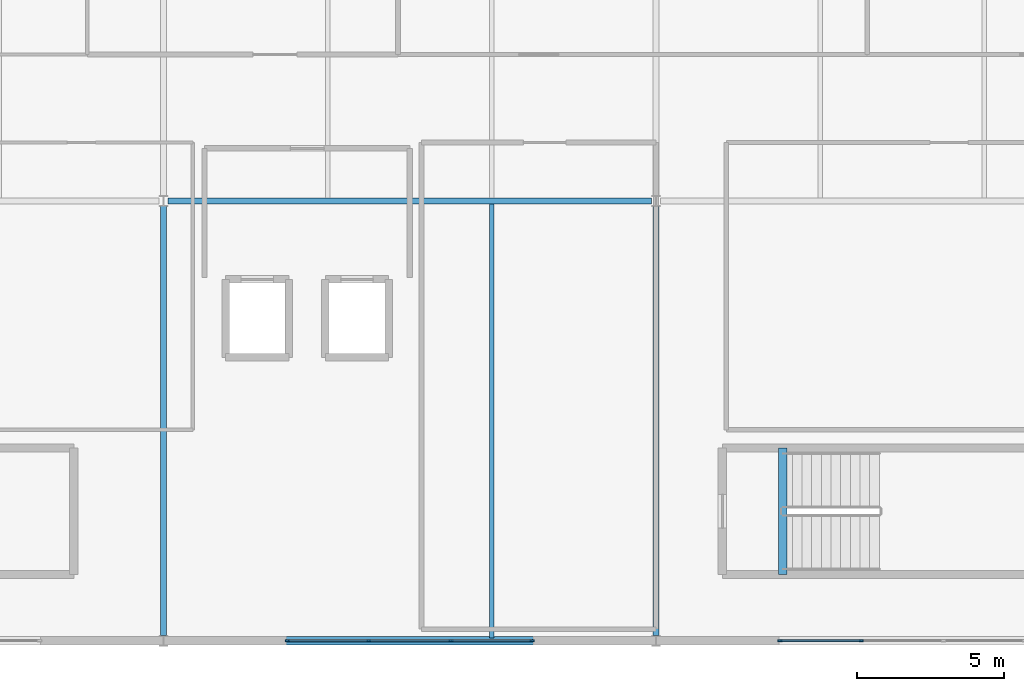
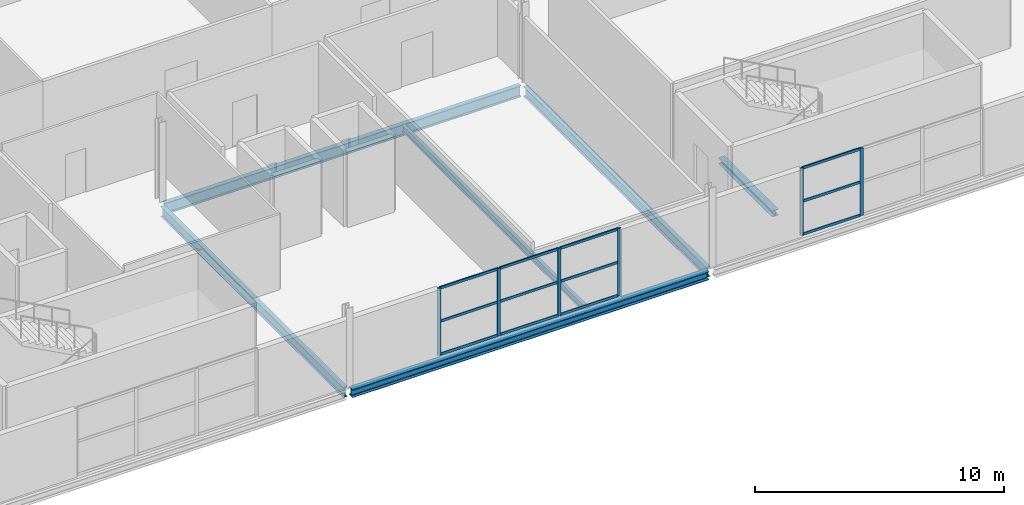
# One storey, part 7 of 18: 18 members, 6 beams, 2 elements without a shape of their own.
"""IFC4 building model written with IfcOpenShell, lengths in metres."""

from ifc_helpers import new_model, si_unit, direction, frame, origin, origin_2d, place, context, subcontext, project, spatial, rectangle, i_section, extrude, material, material_profile, profile_set, type_object, element, aggregate, save


model = new_model("IFC4")

# Units and contexts
model_context = context("Model", 3, precision=1e-05, world=origin(), true_north=direction((0.0, 1.0)))
body_context = subcontext(model_context, "Body", "Model", "MODEL_VIEW")
ifc_project = project(units=[si_unit("LENGTHUNIT", "METRE"), si_unit("AREAUNIT", "SQUARE_METRE"), si_unit("VOLUMEUNIT", "CUBIC_METRE"), si_unit("PLANEANGLEUNIT", "RADIAN"), si_unit("MASSUNIT", "GRAM", prefix="KILO")], contexts=[model_context])

# Site, building, storey
site_placement = place(None, origin())
site = spatial("IfcSite", under=ifc_project, at=site_placement, CompositionType="ELEMENT")
building_placement = place(site_placement, origin())
building = spatial("IfcBuilding", under=site, at=building_placement, Name="Kimbaza Rail Terminus", CompositionType="ELEMENT")
storey_placement = place(building_placement, frame((0.0, 0.0, 24.89990234375)))
storey = spatial("IfcBuildingStorey", under=building, at=storey_placement, Name="L05", CompositionType="ELEMENT", Elevation=24.89990234375)

# Curtain wall, members
ifc_material_1 = material(Name="Anodised aluminium framing and solar low-E glazing", Category="aluminium")
curtain_wall_type = type_object("IfcCurtainWallType", Name="ARC-CW-OP2", PredefinedType="USERDEFINED", material=ifc_material_1)
curtain_wall_1_placement = place(storey_placement, origin())
curtain_wall_1 = element("IfcCurtainWall", 1, at=curtain_wall_1_placement, inside=storey, type_object=curtain_wall_type, Name="Operations South Curtain Wall L05 Bay 2", ObjectType="STICK CURTAIN WALL", PredefinedType="USERDEFINED")
ifc_material_2 = material(Name="Anodised architectural aluminium", Category="aluminium")
ifc_material_profile_1 = material_profile(ifc_material_2, rectangle(XDim=0.05810546875, YDim=0.14990234375, at=origin_2d()), Name="MULLION 58x150")
ifc_profile_set_1 = profile_set([ifc_material_profile_1], Name="Anodised architectural aluminium")
member_type_1 = type_object("IfcMemberType", Name="ARC-CWM-06", PredefinedType="MULLION", material=ifc_profile_set_1)
member_1_placement = place(storey_placement, frame((93.029052734375, 103.0, 0.0), z_axis=(0.0, 0.0, 1.0), x_axis=(0.0, 1.0, 0.0)))
member_1 = element("IfcMember", 2, at=member_1_placement, type_object=member_type_1, Name="CW-06 mullion 1", PredefinedType="MULLION", context=body_context, shape_type="SweptSolid", body=[
    extrude(rectangle(XDim=0.05810546875, YDim=0.14990234375, at=origin_2d()), origin(), (0.0, 0.0, 1.0), 3.300048828125),
])
member_2_placement = place(storey_placement, frame((95.800048828125, 103.0, 0.0), z_axis=(0.0, 0.0, 1.0), x_axis=(0.0, 1.0, 0.0)))
member_2 = element("IfcMember", 3, at=member_2_placement, type_object=member_type_1, Name="CW-06 mullion 2", PredefinedType="MULLION", context=body_context, shape_type="SweptSolid", body=[
    extrude(rectangle(XDim=0.05810546875, YDim=0.14990234375, at=origin_2d()), origin(), (0.0, 0.0, 1.0), 3.300048828125),
])
member_3_placement = place(storey_placement, frame((98.60009765625, 103.0, 0.0), z_axis=(0.0, 0.0, 1.0), x_axis=(0.0, 1.0, 0.0)))
member_3 = element("IfcMember", 4, at=member_3_placement, type_object=member_type_1, Name="CW-06 mullion 3", PredefinedType="MULLION", context=body_context, shape_type="SweptSolid", body=[
    extrude(rectangle(XDim=0.05810546875, YDim=0.14990234375, at=origin_2d()), origin(), (0.0, 0.0, 1.0), 3.300048828125),
])
member_4_placement = place(storey_placement, frame((101.37109375, 103.0, 0.0), z_axis=(0.0, 0.0, 1.0), x_axis=(0.0, 1.0, 0.0)))
member_4 = element("IfcMember", 5, at=member_4_placement, type_object=member_type_1, Name="CW-06 mullion 4", PredefinedType="MULLION", context=body_context, shape_type="SweptSolid", body=[
    extrude(rectangle(XDim=0.05810546875, YDim=0.14990234375, at=origin_2d()), origin(), (0.0, 0.0, 1.0), 3.300048828125),
])

curtain_wall_2_placement = place(storey_placement, origin())
curtain_wall_2 = element("IfcCurtainWall", 6, at=curtain_wall_2_placement, inside=storey, type_object=curtain_wall_type, Name="Operations South Curtain Wall L05 Bay 3", ObjectType="STICK CURTAIN WALL", PredefinedType="USERDEFINED")
member_5_placement = place(storey_placement, frame((109.8291015625, 103.0, 0.0), z_axis=(0.0, 0.0, 1.0), x_axis=(0.0, 1.0, 0.0)))
member_5 = element("IfcMember", 7, at=member_5_placement, type_object=member_type_1, Name="CW-06 mullion 1", PredefinedType="MULLION", context=body_context, shape_type="SweptSolid", body=[
    extrude(rectangle(XDim=0.05810546875, YDim=0.14990234375, at=origin_2d()), origin(), (0.0, 0.0, 1.0), 3.300048828125),
])
member_6_placement = place(storey_placement, frame((112.60009765625, 103.0, 0.0), z_axis=(0.0, 0.0, 1.0), x_axis=(0.0, 1.0, 0.0)))
member_6 = element("IfcMember", 8, at=member_6_placement, type_object=member_type_1, Name="CW-06 mullion 2", PredefinedType="MULLION", context=body_context, shape_type="SweptSolid", body=[
    extrude(rectangle(XDim=0.05810546875, YDim=0.14990234375, at=origin_2d()), origin(), (0.0, 0.0, 1.0), 3.300048828125),
])

# Member
ifc_material_3 = material(Name="Anodised architectural aluminium", Category="aluminium")
ifc_material_profile_2 = material_profile(ifc_material_3, rectangle(XDim=0.05810546875, YDim=0.125, at=origin_2d()), Name="TRANSOM 58x125")
ifc_profile_set_2 = profile_set([ifc_material_profile_2], Name="Anodised architectural aluminium")
member_type_2 = type_object("IfcMemberType", Name="ARC-CWT-06", PredefinedType="USERDEFINED", material=ifc_profile_set_2)
member_7_placement = place(storey_placement, frame((93.05810546875, 103.0, 0.029052734375), z_axis=(1.0, 0.0, 0.0), x_axis=(0.0, 1.0, 0.0)))
member_7 = element("IfcMember", 9, at=member_7_placement, type_object=member_type_2, Name="CW-06 transom 1.1", ObjectType="TRANSOM", PredefinedType="USERDEFINED", context=body_context, shape_type="SweptSolid", body=[
    extrude(rectangle(XDim=0.05810546875, YDim=0.125, at=origin_2d()), origin(), (0.0, 0.0, 1.0), 2.712890625),
])

member_8_placement = place(storey_placement, frame((93.05810546875, 103.0, 1.650146484375), z_axis=(1.0, 0.0, 0.0), x_axis=(0.0, 1.0, 0.0)))
member_8 = element("IfcMember", 10, at=member_8_placement, type_object=member_type_2, Name="CW-06 transom 1.2", ObjectType="TRANSOM", PredefinedType="USERDEFINED", context=body_context, shape_type="SweptSolid", body=[
    extrude(rectangle(XDim=0.05810546875, YDim=0.125, at=origin_2d()), origin(), (0.0, 0.0, 1.0), 2.712890625),
])

member_9_placement = place(storey_placement, frame((93.05810546875, 103.0, 3.27099609375), z_axis=(1.0, 0.0, 0.0), x_axis=(0.0, 1.0, 0.0)))
member_9 = element("IfcMember", 11, at=member_9_placement, type_object=member_type_2, Name="CW-06 transom 1.3", ObjectType="TRANSOM", PredefinedType="USERDEFINED", context=body_context, shape_type="SweptSolid", body=[
    extrude(rectangle(XDim=0.05810546875, YDim=0.125, at=origin_2d()), origin(), (0.0, 0.0, 1.0), 2.712890625),
])

member_10_placement = place(storey_placement, frame((95.8291015625, 103.0, 0.029052734375), z_axis=(1.0, 0.0, 0.0), x_axis=(0.0, 1.0, 0.0)))
member_10 = element("IfcMember", 12, at=member_10_placement, type_object=member_type_2, Name="CW-06 transom 2.1", ObjectType="TRANSOM", PredefinedType="USERDEFINED", context=body_context, shape_type="SweptSolid", body=[
    extrude(rectangle(XDim=0.05810546875, YDim=0.125, at=origin_2d()), origin(), (0.0, 0.0, 1.0), 2.741943359375),
])

member_11_placement = place(storey_placement, frame((95.8291015625, 103.0, 1.650146484375), z_axis=(1.0, 0.0, 0.0), x_axis=(0.0, 1.0, 0.0)))
member_11 = element("IfcMember", 13, at=member_11_placement, type_object=member_type_2, Name="CW-06 transom 2.2", ObjectType="TRANSOM", PredefinedType="USERDEFINED", context=body_context, shape_type="SweptSolid", body=[
    extrude(rectangle(XDim=0.05810546875, YDim=0.125, at=origin_2d()), origin(), (0.0, 0.0, 1.0), 2.741943359375),
])

member_12_placement = place(storey_placement, frame((95.8291015625, 103.0, 3.27099609375), z_axis=(1.0, 0.0, 0.0), x_axis=(0.0, 1.0, 0.0)))
member_12 = element("IfcMember", 14, at=member_12_placement, type_object=member_type_2, Name="CW-06 transom 2.3", ObjectType="TRANSOM", PredefinedType="USERDEFINED", context=body_context, shape_type="SweptSolid", body=[
    extrude(rectangle(XDim=0.05810546875, YDim=0.125, at=origin_2d()), origin(), (0.0, 0.0, 1.0), 2.741943359375),
])

member_13_placement = place(storey_placement, frame((98.62890625, 103.0, 0.029052734375), z_axis=(1.0, 0.0, 0.0), x_axis=(0.0, 1.0, 0.0)))
member_13 = element("IfcMember", 15, at=member_13_placement, type_object=member_type_2, Name="CW-06 transom 3.1", ObjectType="TRANSOM", PredefinedType="USERDEFINED", context=body_context, shape_type="SweptSolid", body=[
    extrude(rectangle(XDim=0.05810546875, YDim=0.125, at=origin_2d()), origin(), (0.0, 0.0, 1.0), 2.713134765625),
])

member_14_placement = place(storey_placement, frame((98.62890625, 103.0, 1.650146484375), z_axis=(1.0, 0.0, 0.0), x_axis=(0.0, 1.0, 0.0)))
member_14 = element("IfcMember", 16, at=member_14_placement, type_object=member_type_2, Name="CW-06 transom 3.2", ObjectType="TRANSOM", PredefinedType="USERDEFINED", context=body_context, shape_type="SweptSolid", body=[
    extrude(rectangle(XDim=0.05810546875, YDim=0.125, at=origin_2d()), origin(), (0.0, 0.0, 1.0), 2.713134765625),
])

member_15_placement = place(storey_placement, frame((98.62890625, 103.0, 3.27099609375), z_axis=(1.0, 0.0, 0.0), x_axis=(0.0, 1.0, 0.0)))
member_15 = element("IfcMember", 17, at=member_15_placement, type_object=member_type_2, Name="CW-06 transom 3.3", ObjectType="TRANSOM", PredefinedType="USERDEFINED", context=body_context, shape_type="SweptSolid", body=[
    extrude(rectangle(XDim=0.05810546875, YDim=0.125, at=origin_2d()), origin(), (0.0, 0.0, 1.0), 2.713134765625),
])

aggregate(curtain_wall_1, [member_1, member_2, member_3, member_4, member_7, member_8, member_9, member_10, member_11, member_12, member_13, member_14, member_15])

member_16_placement = place(storey_placement, frame((109.85791015625, 103.0, 0.029052734375), z_axis=(1.0, 0.0, 0.0), x_axis=(0.0, 1.0, 0.0)))
member_16 = element("IfcMember", 18, at=member_16_placement, type_object=member_type_2, Name="CW-06 transom 1.1", ObjectType="TRANSOM", PredefinedType="USERDEFINED", context=body_context, shape_type="SweptSolid", body=[
    extrude(rectangle(XDim=0.05810546875, YDim=0.125, at=origin_2d()), origin(), (0.0, 0.0, 1.0), 2.713134765625),
])

member_17_placement = place(storey_placement, frame((109.85791015625, 103.0, 1.650146484375), z_axis=(1.0, 0.0, 0.0), x_axis=(0.0, 1.0, 0.0)))
member_17 = element("IfcMember", 19, at=member_17_placement, type_object=member_type_2, Name="CW-06 transom 1.2", ObjectType="TRANSOM", PredefinedType="USERDEFINED", context=body_context, shape_type="SweptSolid", body=[
    extrude(rectangle(XDim=0.05810546875, YDim=0.125, at=origin_2d()), origin(), (0.0, 0.0, 1.0), 2.713134765625),
])

member_18_placement = place(storey_placement, frame((109.85791015625, 103.0, 3.27099609375), z_axis=(1.0, 0.0, 0.0), x_axis=(0.0, 1.0, 0.0)))
member_18 = element("IfcMember", 20, at=member_18_placement, type_object=member_type_2, Name="CW-06 transom 1.3", ObjectType="TRANSOM", PredefinedType="USERDEFINED", context=body_context, shape_type="SweptSolid", body=[
    extrude(rectangle(XDim=0.05810546875, YDim=0.125, at=origin_2d()), origin(), (0.0, 0.0, 1.0), 2.713134765625),
])

aggregate(curtain_wall_2, [member_5, member_6, member_16, member_17, member_18])

# Beams
ifc_material_4 = material(Name="Steel S355", Category="steel")
ifc_material_profile_3 = material_profile(ifc_material_4, i_section(OverallWidth=0.300048828125, OverallDepth=0.2900390625, WebThickness=0.008544921875, FlangeThickness=0.013916015625, FilletRadius=0.027099609375, at=origin_2d()), Name="HEA 300")
ifc_profile_set_3 = profile_set([ifc_material_profile_3], Name="Steel S355")
beam_type_1 = type_object("IfcBeamType", Name="STR-BM-HEA300", PredefinedType="SPANDREL", material=ifc_profile_set_3)
beam_1_placement = place(storey_placement, frame((109.919921875, 105.260009765625, -0.3349609375), z_axis=(0.0, 1.0, 0.0), x_axis=(-1.0, 0.0, 0.0)))
element("IfcBeam", 21, at=beam_1_placement, inside=storey, type_object=beam_type_1, Name="Operations Central Exit Stair Landing Trimmer Beam L05", PredefinedType="SPANDREL", context=body_context, shape_type="SweptSolid", body=[
    extrude(i_section(OverallWidth=0.300048828125, OverallDepth=0.2900390625, WebThickness=0.008544921875, FlangeThickness=0.013916015625, FilletRadius=0.027099609375, at=origin_2d()), origin(), (0.0, 0.0, 1.0), 4.320068359375),
])
ifc_material_5 = material(Name="Steel S355", Category="steel")
ifc_material_profile_4 = material_profile(ifc_material_5, i_section(OverallWidth=0.300048828125, OverallDepth=0.389892578125, WebThickness=0.010986328125, FlangeThickness=0.01904296875, FilletRadius=0.027099609375, at=origin_2d()), Name="HEA 400")
ifc_profile_set_4 = profile_set([ifc_material_profile_4], Name="Steel S355")
beam_type_2 = type_object("IfcBeamType", Name="STR-BM-HEA400", PredefinedType="SPANDREL", material=ifc_profile_set_4)
beam_2_placement = place(storey_placement, frame((88.946044921875, 103.0, -0.385009765625), z_axis=(1.0, 0.0, 0.0), x_axis=(0.0, 1.0, 0.0)))
element("IfcBeam", 22, at=beam_2_placement, inside=storey, type_object=beam_type_2, Name="Operations Girder L05 X1-Y0", PredefinedType="SPANDREL", context=body_context, shape_type="SweptSolid", body=[
    extrude(i_section(OverallWidth=0.300048828125, OverallDepth=0.389892578125, WebThickness=0.010986328125, FlangeThickness=0.01904296875, FilletRadius=0.027099609375, at=origin_2d()), origin(), (0.0, 0.0, 1.0), 16.508056640625),
])
ifc_material_6 = material(Name="Steel S355", Category="steel")
ifc_material_profile_5 = material_profile(ifc_material_6, i_section(OverallWidth=0.159912109375, OverallDepth=0.330078125, WebThickness=0.007568359375, FlangeThickness=0.011474609375, FilletRadius=0.01806640625, at=origin_2d()), Name="IPE 330")
ifc_profile_set_5 = profile_set([ifc_material_profile_5], Name="Steel S355")
beam_type_3 = type_object("IfcBeamType", Name="STR-BM-IPE330", PredefinedType="JOIST", material=ifc_profile_set_5)
beam_3_placement = place(storey_placement, frame((100.0, 103.10009765625, -0.35498046875), z_axis=(0.0, 1.0, 0.0), x_axis=(-1.0, 0.0, 0.0)))
element("IfcBeam", 23, at=beam_3_placement, inside=storey, type_object=beam_type_3, Name="Operations Secondary Joist L05", PredefinedType="JOIST", context=body_context, shape_type="SweptSolid", body=[
    extrude(i_section(OverallWidth=0.159912109375, OverallDepth=0.330078125, WebThickness=0.007568359375, FlangeThickness=0.011474609375, FilletRadius=0.01806640625, at=origin_2d()), origin(), (0.0, 0.0, 1.0), 14.7998046875),
])
ifc_material_7 = material(Name="Steel S355", Category="steel")
ifc_material_profile_6 = material_profile(ifc_material_7, i_section(OverallWidth=0.199951171875, OverallDepth=0.5, WebThickness=0.01025390625, FlangeThickness=0.01611328125, FilletRadius=0.02099609375, at=origin_2d()), Name="IPE 500")
ifc_profile_set_6 = profile_set([ifc_material_profile_6], Name="Steel S355")
beam_type_4 = type_object("IfcBeamType", Name="STR-BM-IPE500", PredefinedType="BEAM", material=ifc_profile_set_6)
for number, where, z_axis, x_axis, name in (
    (24, (88.800048828125, 103.175048828125, -0.43994140625), (0.0, 1.0, 0.0), (-1.0, 0.0, 0.0), "Operations Cross Girder L05 X1-Y0"),
    (25, (105.60009765625, 103.175048828125, -0.43994140625), (0.0, 1.0, 0.0), (-1.0, 0.0, 0.0), "Operations Cross Girder L05 X2-Y0"),
):
    element("IfcBeam", number, at=place(storey_placement, frame(where, z_axis=z_axis, x_axis=x_axis)), inside=storey, type_object=beam_type_4, Name=name, PredefinedType="BEAM", context=body_context, shape_type="SweptSolid", body=[
        extrude(i_section(OverallWidth=0.199951171875, OverallDepth=0.5, WebThickness=0.01025390625, FlangeThickness=0.01611328125, FilletRadius=0.02099609375, at=origin_2d()), origin(), (0.0, 0.0, 1.0), 14.64990234375),
    ])
ifc_material_8 = material(Name="Steel S355", Category="steel")
ifc_material_profile_7 = material_profile(ifc_material_8, i_section(OverallWidth=0.2099609375, OverallDepth=0.550048828125, WebThickness=0.010986328125, FlangeThickness=0.01708984375, FilletRadius=0.02392578125, at=origin_2d()), Name="IPE 550")
ifc_profile_set_7 = profile_set([ifc_material_profile_7], Name="Steel S355")
beam_type_5 = type_object("IfcBeamType", Name="STR-BM-IPE550", PredefinedType="BEAM", material=ifc_profile_set_7)
beam_4_placement = place(storey_placement, frame((88.946044921875, 118.0, -0.46484375), z_axis=(1.0, 0.0, 0.0), x_axis=(0.0, 1.0, 0.0)))
element("IfcBeam", 26, at=beam_4_placement, inside=storey, type_object=beam_type_5, Name="Operations Girder L05 X1-Y1", PredefinedType="BEAM", context=body_context, shape_type="SweptSolid", body=[
    extrude(i_section(OverallWidth=0.2099609375, OverallDepth=0.550048828125, WebThickness=0.010986328125, FlangeThickness=0.01708984375, FilletRadius=0.02392578125, at=origin_2d()), origin(), (0.0, 0.0, 1.0), 16.508056640625),
])

save(model, "model.ifc")
